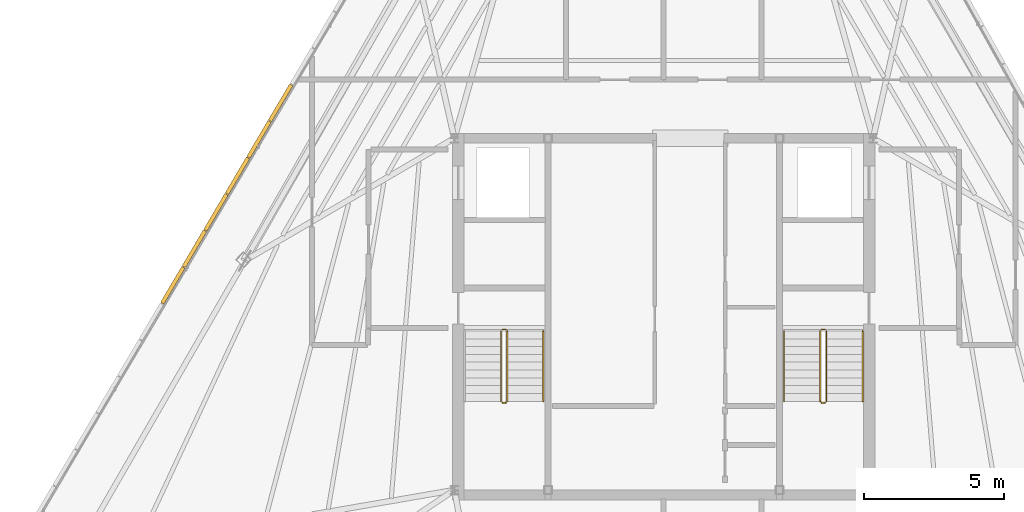
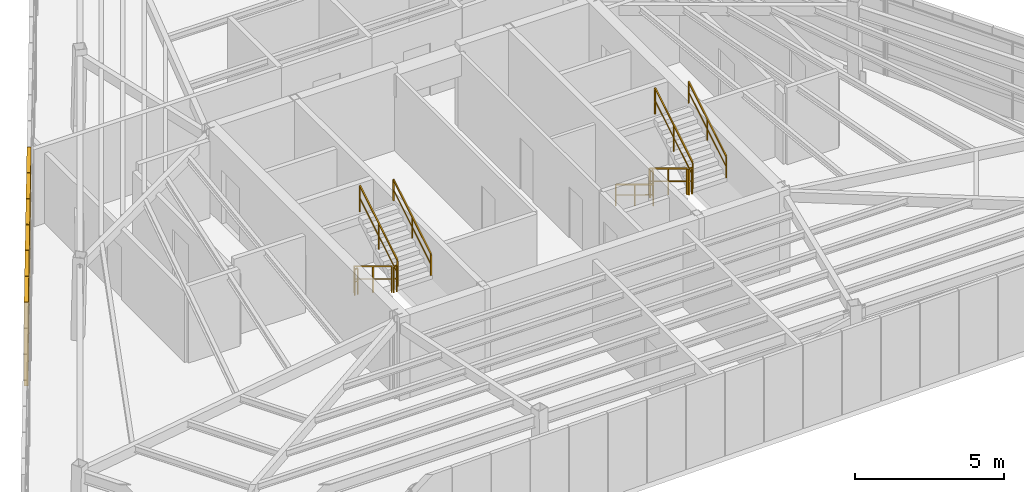
# One storey, part 43 of 44: 11 railings, 6 shading devices.
"""IFC4 building model written with IfcOpenShell, lengths in metres."""

from ifc_helpers import new_model, si_unit, direction, frame, origin, origin_2d, place, context, subcontext, project, spatial, rectangle, extrude, source, transform, mapped, material, layer, layer_set, type_object, type_shapes, element, save


model = new_model("IFC4")

# Units and contexts
model_context = context("Model", 3, precision=1e-05, world=origin(), true_north=direction((0.0, 1.0)))
body_context = subcontext(model_context, "Body", "Model", "MODEL_VIEW")
ifc_project = project(units=[si_unit("LENGTHUNIT", "METRE"), si_unit("AREAUNIT", "SQUARE_METRE"), si_unit("VOLUMEUNIT", "CUBIC_METRE"), si_unit("PLANEANGLEUNIT", "RADIAN"), si_unit("MASSUNIT", "GRAM", prefix="KILO")], contexts=[model_context])

# Site, building, storey
site_placement = place(None, origin())
site = spatial("IfcSite", under=ifc_project, at=site_placement, CompositionType="ELEMENT")
building_placement = place(site_placement, origin())
building = spatial("IfcBuilding", under=site, at=building_placement, Name="Caelisora Broadcast Tower", CompositionType="ELEMENT")
storey_placement = place(building_placement, frame((0.0, 0.0, 296.60009765625)))
storey = spatial("IfcBuildingStorey", under=building, at=storey_placement, Name="L78", CompositionType="ELEMENT", Elevation=296.60009765625)

# Railings
ifc_material_1 = material(Name="Galvanised Steel Safety Guardrail", Category="steel")
ifc_layer_1 = layer(ifc_material_1, 0.048095703125, Name="Galvanised Steel Safety Guardrail")
ifc_layer_set_1 = layer_set([ifc_layer_1], Name="Galvanised Steel Safety Guardrail")
railing_type_1 = type_object("IfcRailingType", Name="GR-1", PredefinedType="GUARDRAIL", material=ifc_layer_set_1)
railing_1_placement = place(storey_placement, frame((32.169921875, 23.10009765625, 0.169921875)))
element("IfcRailing", 1, at=railing_1_placement, inside=storey, type_object=railing_type_1, Name="L78 ST-1 stair guard 1", PredefinedType="GUARDRAIL", context=body_context, shape_type="SweptSolid", body=[
    extrude(rectangle(XDim=0.048095703125, YDim=0.048095703125, at=origin_2d()), frame((0.0, 0.0, 1.076171875), z_axis=(0.0, -0.85478489116, 0.518982456201), x_axis=(1.0, 0.0, 0.0)), (0.0, 0.0, 1.0), 2.9482421875),
    extrude(rectangle(XDim=0.03125, YDim=0.03125, at=origin_2d()), frame((0.0, 0.0, 0.550048828125), z_axis=(0.0, -0.85478489116, 0.518982456201), x_axis=(1.0, 0.0, 0.0)), (0.0, 0.0, 1.0), 2.9482421875),
    extrude(rectangle(XDim=0.0419921875, YDim=0.0419921875, at=origin_2d()), origin(), (0.0, 0.0, 1.0), 1.052001953125),
    extrude(rectangle(XDim=0.0419921875, YDim=0.0419921875, at=origin_2d()), frame((0.0, -1.260009765625, 0.76513671875)), (0.0, 0.0, 1.0), 1.052001953125),
    extrude(rectangle(XDim=0.0419921875, YDim=0.0419921875, at=origin_2d()), frame((0.0, -2.52001953125, 1.530029296875)), (0.0, 0.0, 1.0), 1.052001953125),
])
railing_2_placement = place(storey_placement, frame((32.219970703125, 20.530029296875, 1.699951171875)))
element("IfcRailing", 2, at=railing_2_placement, inside=storey, type_object=railing_type_1, Name="L78 ST-1 stair guard 2", PredefinedType="GUARDRAIL", context=body_context, shape_type="SweptSolid", body=[
    extrude(rectangle(XDim=0.048095703125, YDim=0.048095703125, at=origin_2d()), frame((0.0, 0.0, 1.076171875), z_axis=(1.0, 0.0, 0.0), x_axis=(0.0, 1.0, 0.0)), (0.0, 0.0, 1.0), 0.1201171875),
    extrude(rectangle(XDim=0.03125, YDim=0.03125, at=origin_2d()), frame((0.0, 0.0, 0.550048828125), z_axis=(1.0, 0.0, 0.0), x_axis=(0.0, 1.0, 0.0)), (0.0, 0.0, 1.0), 0.1201171875),
    extrude(rectangle(XDim=0.0419921875, YDim=0.0419921875, at=origin_2d()), origin(), (0.0, 0.0, 1.0), 1.052001953125),
    extrude(rectangle(XDim=0.0419921875, YDim=0.0419921875, at=origin_2d()), frame((0.1201171875, 0.0, 0.0)), (0.0, 0.0, 1.0), 1.052001953125),
])
railing_3_placement = place(storey_placement, frame((32.389892578125, 20.580078125, 1.869873046875)))
element("IfcRailing", 3, at=railing_3_placement, inside=storey, type_object=railing_type_1, Name="L78 ST-1 stair guard 3", PredefinedType="GUARDRAIL", context=body_context, shape_type="SweptSolid", body=[
    extrude(rectangle(XDim=0.048095703125, YDim=0.048095703125, at=origin_2d()), frame((0.0, 0.0, 1.076171875), z_axis=(0.0, 0.85478489116, 0.518982456201), x_axis=(-1.0, 0.0, 0.0)), (0.0, 0.0, 1.0), 2.9482421875),
    extrude(rectangle(XDim=0.03125, YDim=0.03125, at=origin_2d()), frame((0.0, 0.0, 0.550048828125), z_axis=(0.0, 0.85478489116, 0.518982456201), x_axis=(-1.0, 0.0, 0.0)), (0.0, 0.0, 1.0), 2.9482421875),
    extrude(rectangle(XDim=0.0419921875, YDim=0.0419921875, at=origin_2d()), origin(), (0.0, 0.0, 1.0), 1.052001953125),
    extrude(rectangle(XDim=0.0419921875, YDim=0.0419921875, at=origin_2d()), frame((0.0, 1.260009765625, 0.76513671875)), (0.0, 0.0, 1.0), 1.052001953125),
    extrude(rectangle(XDim=0.0419921875, YDim=0.0419921875, at=origin_2d()), frame((0.0, 2.52001953125, 1.530029296875)), (0.0, 0.0, 1.0), 1.052001953125),
])
railing_4_placement = place(storey_placement, frame((32.219970703125, 23.14990234375, 0.0)))
element("IfcRailing", 4, at=railing_4_placement, inside=storey, type_object=railing_type_1, Name="L78 ST-1 stair guard 4", PredefinedType="GUARDRAIL", context=body_context, shape_type="SweptSolid", body=[
    extrude(rectangle(XDim=0.048095703125, YDim=0.048095703125, at=origin_2d()), frame((0.0, 0.0, 1.076171875), z_axis=(1.0, 0.0, 0.0), x_axis=(0.0, 1.0, 0.0)), (0.0, 0.0, 1.0), 0.1201171875),
    extrude(rectangle(XDim=0.03125, YDim=0.03125, at=origin_2d()), frame((0.0, 0.0, 0.550048828125), z_axis=(1.0, 0.0, 0.0), x_axis=(0.0, 1.0, 0.0)), (0.0, 0.0, 1.0), 0.1201171875),
    extrude(rectangle(XDim=0.0419921875, YDim=0.0419921875, at=origin_2d()), origin(), (0.0, 0.0, 1.0), 1.052001953125),
    extrude(rectangle(XDim=0.0419921875, YDim=0.0419921875, at=origin_2d()), frame((0.1201171875, 0.0, 0.0)), (0.0, 0.0, 1.0), 1.052001953125),
])
railing_5_placement = place(storey_placement, frame((43.610107421875, 23.10009765625, 0.169921875)))
element("IfcRailing", 5, at=railing_5_placement, inside=storey, type_object=railing_type_1, Name="L78 ST-2 stair guard 1", PredefinedType="GUARDRAIL", context=body_context, shape_type="SweptSolid", body=[
    extrude(rectangle(XDim=0.048095703125, YDim=0.048095703125, at=origin_2d()), frame((0.0, 0.0, 1.076171875), z_axis=(0.0, -0.85478489116, 0.518982456201), x_axis=(1.0, 0.0, 0.0)), (0.0, 0.0, 1.0), 2.9482421875),
    extrude(rectangle(XDim=0.03125, YDim=0.03125, at=origin_2d()), frame((0.0, 0.0, 0.550048828125), z_axis=(0.0, -0.85478489116, 0.518982456201), x_axis=(1.0, 0.0, 0.0)), (0.0, 0.0, 1.0), 2.9482421875),
    extrude(rectangle(XDim=0.0419921875, YDim=0.0419921875, at=origin_2d()), origin(), (0.0, 0.0, 1.0), 1.052001953125),
    extrude(rectangle(XDim=0.0419921875, YDim=0.0419921875, at=origin_2d()), frame((0.0, -1.260009765625, 0.76513671875)), (0.0, 0.0, 1.0), 1.052001953125),
    extrude(rectangle(XDim=0.0419921875, YDim=0.0419921875, at=origin_2d()), frame((0.0, -2.52001953125, 1.530029296875)), (0.0, 0.0, 1.0), 1.052001953125),
])
railing_6_placement = place(storey_placement, frame((43.659912109375, 20.530029296875, 1.699951171875)))
element("IfcRailing", 6, at=railing_6_placement, inside=storey, type_object=railing_type_1, Name="L78 ST-2 stair guard 2", PredefinedType="GUARDRAIL", context=body_context, shape_type="SweptSolid", body=[
    extrude(rectangle(XDim=0.048095703125, YDim=0.048095703125, at=origin_2d()), frame((0.0, 0.0, 1.076171875), z_axis=(1.0, 0.0, 0.0), x_axis=(0.0, 1.0, 0.0)), (0.0, 0.0, 1.0), 0.1201171875),
    extrude(rectangle(XDim=0.03125, YDim=0.03125, at=origin_2d()), frame((0.0, 0.0, 0.550048828125), z_axis=(1.0, 0.0, 0.0), x_axis=(0.0, 1.0, 0.0)), (0.0, 0.0, 1.0), 0.1201171875),
    extrude(rectangle(XDim=0.0419921875, YDim=0.0419921875, at=origin_2d()), origin(), (0.0, 0.0, 1.0), 1.052001953125),
    extrude(rectangle(XDim=0.0419921875, YDim=0.0419921875, at=origin_2d()), frame((0.1201171875, 0.0, 0.0)), (0.0, 0.0, 1.0), 1.052001953125),
])
railing_7_placement = place(storey_placement, frame((43.830078125, 20.580078125, 1.869873046875)))
element("IfcRailing", 7, at=railing_7_placement, inside=storey, type_object=railing_type_1, Name="L78 ST-2 stair guard 3", PredefinedType="GUARDRAIL", context=body_context, shape_type="SweptSolid", body=[
    extrude(rectangle(XDim=0.048095703125, YDim=0.048095703125, at=origin_2d()), frame((0.0, 0.0, 1.076171875), z_axis=(0.0, 0.85478489116, 0.518982456201), x_axis=(-1.0, 0.0, 0.0)), (0.0, 0.0, 1.0), 2.9482421875),
    extrude(rectangle(XDim=0.03125, YDim=0.03125, at=origin_2d()), frame((0.0, 0.0, 0.550048828125), z_axis=(0.0, 0.85478489116, 0.518982456201), x_axis=(-1.0, 0.0, 0.0)), (0.0, 0.0, 1.0), 2.9482421875),
    extrude(rectangle(XDim=0.0419921875, YDim=0.0419921875, at=origin_2d()), origin(), (0.0, 0.0, 1.0), 1.052001953125),
    extrude(rectangle(XDim=0.0419921875, YDim=0.0419921875, at=origin_2d()), frame((0.0, 1.260009765625, 0.76513671875)), (0.0, 0.0, 1.0), 1.052001953125),
    extrude(rectangle(XDim=0.0419921875, YDim=0.0419921875, at=origin_2d()), frame((0.0, 2.52001953125, 1.530029296875)), (0.0, 0.0, 1.0), 1.052001953125),
])
railing_8_placement = place(storey_placement, frame((43.659912109375, 23.14990234375, 0.0)))
element("IfcRailing", 8, at=railing_8_placement, inside=storey, type_object=railing_type_1, Name="L78 ST-2 stair guard 4", PredefinedType="GUARDRAIL", context=body_context, shape_type="SweptSolid", body=[
    extrude(rectangle(XDim=0.048095703125, YDim=0.048095703125, at=origin_2d()), frame((0.0, 0.0, 1.076171875), z_axis=(1.0, 0.0, 0.0), x_axis=(0.0, 1.0, 0.0)), (0.0, 0.0, 1.0), 0.1201171875),
    extrude(rectangle(XDim=0.03125, YDim=0.03125, at=origin_2d()), frame((0.0, 0.0, 0.550048828125), z_axis=(1.0, 0.0, 0.0), x_axis=(0.0, 1.0, 0.0)), (0.0, 0.0, 1.0), 0.1201171875),
    extrude(rectangle(XDim=0.0419921875, YDim=0.0419921875, at=origin_2d()), origin(), (0.0, 0.0, 1.0), 1.052001953125),
    extrude(rectangle(XDim=0.0419921875, YDim=0.0419921875, at=origin_2d()), frame((0.1201171875, 0.0, 0.0)), (0.0, 0.0, 1.0), 1.052001953125),
])
ifc_material_2 = material(Name="Stainless Steel Grade 316 Tubular Handrail", Category="steel")
ifc_layer_2 = layer(ifc_material_2, 0.048095703125, Name="Stainless Steel Grade 316 Tubular Handrail")
ifc_layer_set_2 = layer_set([ifc_layer_2], Name="Stainless Steel Grade 316 Tubular Handrail")
railing_type_2 = type_object("IfcRailingType", Name="HR-1", PredefinedType="HANDRAIL", material=ifc_layer_set_2)
railing_9_placement = place(storey_placement, frame((33.68994140625, 20.580078125, 1.869873046875)))
element("IfcRailing", 9, at=railing_9_placement, inside=storey, type_object=railing_type_2, Name="L78 ST-1 stair handrail 2", PredefinedType="HANDRAIL", context=body_context, shape_type="SweptSolid", body=[
    extrude(rectangle(XDim=0.048095703125, YDim=0.048095703125, at=origin_2d()), frame((0.0, 0.0, 0.8759765625), z_axis=(0.0, 0.85478489116, 0.518982456201), x_axis=(-1.0, 0.0, 0.0)), (0.0, 0.0, 1.0), 2.9482421875),
    extrude(rectangle(XDim=0.03125, YDim=0.03125, at=origin_2d()), frame((0.0, 0.0, 0.449951171875), z_axis=(0.0, 0.85478489116, 0.518982456201), x_axis=(-1.0, 0.0, 0.0)), (0.0, 0.0, 1.0), 2.9482421875),
    extrude(rectangle(XDim=0.0419921875, YDim=0.0419921875, at=origin_2d()), origin(), (0.0, 0.0, 1.0), 0.851806640625),
    extrude(rectangle(XDim=0.0419921875, YDim=0.0419921875, at=origin_2d()), frame((0.0, 1.260009765625, 0.76513671875)), (0.0, 0.0, 1.0), 0.851806640625),
    extrude(rectangle(XDim=0.0419921875, YDim=0.0419921875, at=origin_2d()), frame((0.0, 2.52001953125, 1.530029296875)), (0.0, 0.0, 1.0), 0.851806640625),
])
railing_10_placement = place(storey_placement, frame((42.31005859375, 23.10009765625, 0.169921875)))
element("IfcRailing", 10, at=railing_10_placement, inside=storey, type_object=railing_type_2, Name="L78 ST-2 stair handrail 1", PredefinedType="HANDRAIL", context=body_context, shape_type="SweptSolid", body=[
    extrude(rectangle(XDim=0.048095703125, YDim=0.048095703125, at=origin_2d()), frame((0.0, 0.0, 0.8759765625), z_axis=(0.0, -0.85478489116, 0.518982456201), x_axis=(1.0, 0.0, 0.0)), (0.0, 0.0, 1.0), 2.9482421875),
    extrude(rectangle(XDim=0.03125, YDim=0.03125, at=origin_2d()), frame((0.0, 0.0, 0.449951171875), z_axis=(0.0, -0.85478489116, 0.518982456201), x_axis=(1.0, 0.0, 0.0)), (0.0, 0.0, 1.0), 2.9482421875),
    extrude(rectangle(XDim=0.0419921875, YDim=0.0419921875, at=origin_2d()), origin(), (0.0, 0.0, 1.0), 0.851806640625),
    extrude(rectangle(XDim=0.0419921875, YDim=0.0419921875, at=origin_2d()), frame((0.0, -1.260009765625, 0.76513671875)), (0.0, 0.0, 1.0), 0.851806640625),
    extrude(rectangle(XDim=0.0419921875, YDim=0.0419921875, at=origin_2d()), frame((0.0, -2.52001953125, 1.530029296875)), (0.0, 0.0, 1.0), 0.851806640625),
])
railing_11_placement = place(storey_placement, frame((45.1298828125, 20.580078125, 1.869873046875)))
element("IfcRailing", 11, at=railing_11_placement, inside=storey, type_object=railing_type_2, Name="L78 ST-2 stair handrail 2", PredefinedType="HANDRAIL", context=body_context, shape_type="SweptSolid", body=[
    extrude(rectangle(XDim=0.048095703125, YDim=0.048095703125, at=origin_2d()), frame((0.0, 0.0, 0.8759765625), z_axis=(0.0, 0.85478489116, 0.518982456201), x_axis=(-1.0, 0.0, 0.0)), (0.0, 0.0, 1.0), 2.9482421875),
    extrude(rectangle(XDim=0.03125, YDim=0.03125, at=origin_2d()), frame((0.0, 0.0, 0.449951171875), z_axis=(0.0, 0.85478489116, 0.518982456201), x_axis=(-1.0, 0.0, 0.0)), (0.0, 0.0, 1.0), 2.9482421875),
    extrude(rectangle(XDim=0.0419921875, YDim=0.0419921875, at=origin_2d()), origin(), (0.0, 0.0, 1.0), 0.851806640625),
    extrude(rectangle(XDim=0.0419921875, YDim=0.0419921875, at=origin_2d()), frame((0.0, 1.260009765625, 0.76513671875)), (0.0, 0.0, 1.0), 0.851806640625),
    extrude(rectangle(XDim=0.0419921875, YDim=0.0419921875, at=origin_2d()), frame((0.0, 2.52001953125, 1.530029296875)), (0.0, 0.0, 1.0), 0.851806640625),
])

# Shading devices
ifc_material_3 = material(Name="Anodised Terracotta Aluminium Acoustic Louvre", Category="aluminium")
ifc_layer_3 = layer(ifc_material_3, 0.139892578125, Name="Anodised Terracotta Aluminium Acoustic Louvre")
ifc_layer_set_3 = layer_set([ifc_layer_3], Name="Anodised Terracotta Aluminium Acoustic Louvre")
shading_device_type = type_object("IfcShadingDeviceType", Name="LV-1", PredefinedType="JALOUSIE", material=ifc_layer_set_3)
shared_shape = source(origin(), body_context, "Body", "SweptSolid", [
    extrude(rectangle(XDim=1.48828125, YDim=0.139892578125, at=origin_2d()), origin(), (0.0, 0.0, 1.0), 3.43994140625),
])
type_shapes(shading_device_type, [shared_shape])
for number, where, z_axis, x_axis, name in (
    (12, (24.277587890625, 31.273681640625, -0.02001953125), (0.0, 0.0, 1.0), (-0.508740929096, -0.860919663536, 0.0), "L78 crown acoustic louvre #019"),
    (13, (23.505126953125, 29.966552734375, -0.02001953125), (0.0, 0.0, 1.0), (-0.508740929096, -0.860919663536, 0.0), "L78 crown acoustic louvre #020"),
    (14, (22.732666015625, 28.65966796875, -0.02001953125), (0.0, 0.0, 1.0), (-0.508740929096, -0.860919663536, 0.0), "L78 crown acoustic louvre #021"),
    (15, (21.960205078125, 27.3525390625, -0.02001953125), (0.0, 0.0, 1.0), (-0.508740929096, -0.860919663536, 0.0), "L78 crown acoustic louvre #022"),
    (16, (21.187744140625, 26.04541015625, -0.02001953125), (0.0, 0.0, 1.0), (-0.508740929096, -0.860919663536, 0.0), "L78 crown acoustic louvre #023"),
    (17, (20.415283203125, 24.738525390625, -0.02001953125), (0.0, 0.0, 1.0), (-0.508740929096, -0.860919663536, 0.0), "L78 crown acoustic louvre #024"),
):
    element("IfcShadingDevice", number, at=place(storey_placement, frame(where, z_axis=z_axis, x_axis=x_axis)), inside=storey, type_object=shading_device_type, Name=name, PredefinedType="JALOUSIE", context=body_context, shape_type="MappedRepresentation", body=[
        mapped(shared_shape, transform((0.0, 0.0, 0.0), scale=1.0)),
    ])

save(model, "model.ifc")
